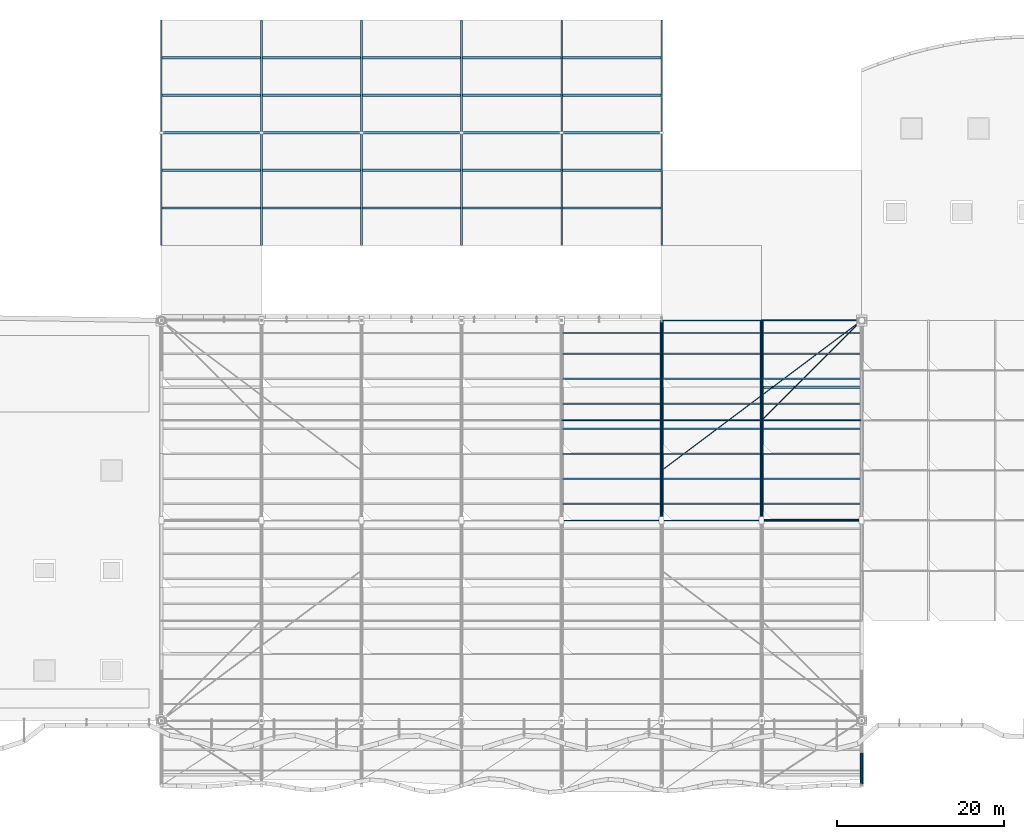
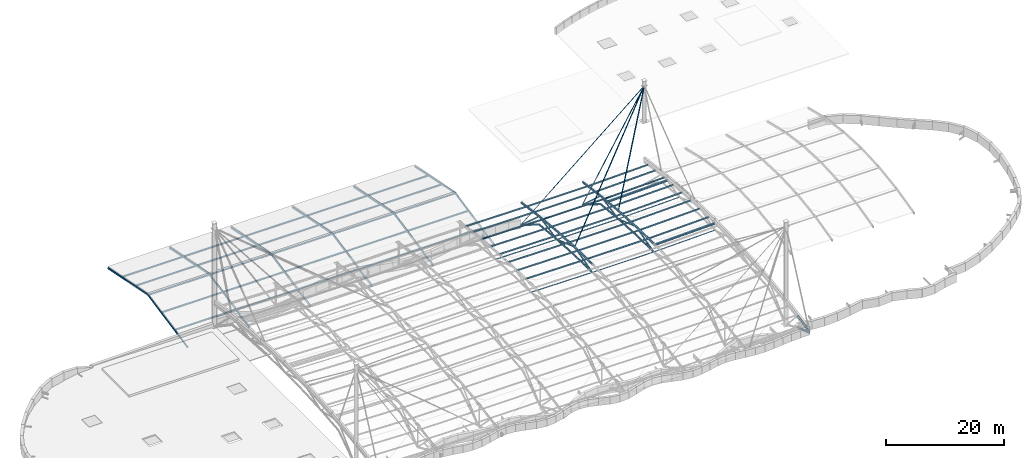
# One storey, part 15 of 29: 98 members, 2 beams.
"""IFC4 building model written with IfcOpenShell, lengths in metres."""

from ifc_helpers import new_model, si_unit, direction, frame, origin, origin_2d, place, context, subcontext, project, spatial, hollow_rectangle, hollow_circle, i_section, extrude, material, material_profile, profile_set, type_object, element, save


model = new_model("IFC4")

# Units and contexts
model_context = context("Model", 3, precision=1e-05, world=origin(), true_north=direction((0.0, 1.0)))
body_context = subcontext(model_context, "Body", "Model", "MODEL_VIEW")
ifc_project = project(units=[si_unit("LENGTHUNIT", "METRE"), si_unit("AREAUNIT", "SQUARE_METRE"), si_unit("VOLUMEUNIT", "CUBIC_METRE"), si_unit("PLANEANGLEUNIT", "RADIAN"), si_unit("MASSUNIT", "GRAM", prefix="KILO")], contexts=[model_context])

# Site, building, storey
site_placement = place(None, origin())
site = spatial("IfcSite", under=ifc_project, at=site_placement, CompositionType="ELEMENT")
building_placement = place(site_placement, origin())
building = spatial("IfcBuilding", under=site, at=building_placement, Name="Keelwater Ferry Terminal", CompositionType="ELEMENT")
storey_placement = place(building_placement, frame((0.0, 0.0, 27.89990234375)))
storey = spatial("IfcBuildingStorey", under=building, at=storey_placement, Name="RF", CompositionType="ELEMENT", Elevation=27.89990234375)

# Members
ifc_material_1 = material(Name="Steel S355", Category="steel")
ifc_material_profile_1 = material_profile(ifc_material_1, hollow_circle(Radius=0.136474609375, WallThickness=0.012451171875, at=origin_2d()), Name="CHS 273x12.5")
ifc_profile_set_1 = profile_set([ifc_material_profile_1], Name="Steel S355")
member_type_1 = type_object("IfcMemberType", Name="BR2 CHS 273x12.5", PredefinedType="BRACE", material=ifc_profile_set_1)
member_1_placement = place(storey_placement, frame((108.0, 66.0, -8.2978515625), z_axis=(0.0, 0.966835622723, 0.255399449166), x_axis=(-1.0, 0.0, 0.0)))
element("IfcMember", 1, at=member_1_placement, inside=storey, type_object=member_type_1, Name="Structural Member MB-RF-0182", PredefinedType="BRACE", context=body_context, shape_type="SweptSolid", body=[
    extrude(hollow_circle(Radius=0.136474609375, WallThickness=0.012451171875, at=origin_2d()), origin(), (0.0, 0.0, 1.0), 6.205810546875),
])
member_2_placement = place(storey_placement, frame((108.0, 72.0, -6.712890625), z_axis=(0.0, 0.946429966212, -0.322909149849), x_axis=(-1.0, 0.0, 0.0)))
element("IfcMember", 2, at=member_2_placement, inside=storey, type_object=member_type_1, Name="Structural Member MB-RF-0185", PredefinedType="BRACE", context=body_context, shape_type="SweptSolid", body=[
    extrude(hollow_circle(Radius=0.136474609375, WallThickness=0.012451171875, at=origin_2d()), origin(), (0.0, 0.0, 1.0), 6.339599609375),
])
member_3_placement = place(storey_placement, frame((108.0, 78.0, -8.760009765625), z_axis=(0.0, 0.982959013804, 0.183824854632), x_axis=(-1.0, 0.0, 0.0)))
element("IfcMember", 3, at=member_3_placement, inside=storey, type_object=member_type_1, Name="Structural Member MB-RF-0188", PredefinedType="BRACE", context=body_context, shape_type="SweptSolid", body=[
    extrude(hollow_circle(Radius=0.136474609375, WallThickness=0.012451171875, at=origin_2d()), origin(), (0.0, 0.0, 1.0), 6.10400390625),
])
member_4_placement = place(storey_placement, frame((108.0, 84.0, -7.637939453125), z_axis=(0.0, 0.742563535774, -0.669775630595), x_axis=(-1.0, 0.0, 0.0)))
element("IfcMember", 4, at=member_4_placement, inside=storey, type_object=member_type_1, Name="Structural Member MB-RF-0191", PredefinedType="BRACE", context=body_context, shape_type="SweptSolid", body=[
    extrude(hollow_circle(Radius=0.136474609375, WallThickness=0.012451171875, at=origin_2d()), origin(), (0.0, 0.0, 1.0), 8.080078125),
])
member_5_placement = place(storey_placement, frame((120.0, 66.0, -8.283935546875), z_axis=(0.0, 0.966835622723, 0.255399449166), x_axis=(-1.0, 0.0, 0.0)))
element("IfcMember", 5, at=member_5_placement, inside=storey, type_object=member_type_1, Name="Structural Member MB-RF-0213", PredefinedType="BRACE", context=body_context, shape_type="SweptSolid", body=[
    extrude(hollow_circle(Radius=0.136474609375, WallThickness=0.012451171875, at=origin_2d()), origin(), (0.0, 0.0, 1.0), 6.205810546875),
])
member_6_placement = place(storey_placement, frame((120.0, 72.0, -6.698974609375), z_axis=(0.0, 0.946441734907, -0.322874654356), x_axis=(-1.0, 0.0, 0.0)))
element("IfcMember", 6, at=member_6_placement, inside=storey, type_object=member_type_1, Name="Structural Member MB-RF-0216", PredefinedType="BRACE", context=body_context, shape_type="SweptSolid", body=[
    extrude(hollow_circle(Radius=0.136474609375, WallThickness=0.012451171875, at=origin_2d()), origin(), (0.0, 0.0, 1.0), 6.339599609375),
])
member_7_placement = place(storey_placement, frame((120.0, 78.0, -8.745849609375), z_axis=(0.0, 0.982966240194, 0.183786209053), x_axis=(-1.0, 0.0, 0.0)))
element("IfcMember", 7, at=member_7_placement, inside=storey, type_object=member_type_1, Name="Structural Member MB-RF-0219", PredefinedType="BRACE", context=body_context, shape_type="SweptSolid", body=[
    extrude(hollow_circle(Radius=0.136474609375, WallThickness=0.012451171875, at=origin_2d()), origin(), (0.0, 0.0, 1.0), 6.10400390625),
])
member_8_placement = place(storey_placement, frame((120.0, 84.0, -7.6240234375), z_axis=(0.0, 0.741707352726, -0.670723641235), x_axis=(-1.0, 0.0, 0.0)))
element("IfcMember", 8, at=member_8_placement, inside=storey, type_object=member_type_1, Name="Structural Member MB-RF-0222", PredefinedType="BRACE", context=body_context, shape_type="SweptSolid", body=[
    extrude(hollow_circle(Radius=0.136474609375, WallThickness=0.012451171875, at=origin_2d()), origin(), (0.0, 0.0, 1.0), 8.08935546875),
])
ifc_material_2 = material(Name="Steel S355", Category="steel")
ifc_material_profile_2 = material_profile(ifc_material_2, hollow_circle(Radius=0.136474609375, WallThickness=0.012451171875, at=origin_2d()), Name="CHS 273x12.5")
ifc_profile_set_2 = profile_set([ifc_material_profile_2], Name="Steel S355")
member_type_2 = type_object("IfcMemberType", Name="BR2E CHS 273x12.5", PredefinedType="BRACE", material=ifc_profile_set_2)
member_9_placement = place(storey_placement, frame((132.0, 34.199951171875, -9.89794921875), z_axis=(0.0, 0.959309065387, 0.282358136178), x_axis=(-1.0, 0.0, 0.0)))
element("IfcMember", 9, at=member_9_placement, inside=storey, type_object=member_type_2, Name="Structural Member MB-RF-0226", PredefinedType="BRACE", context=body_context, shape_type="SweptSolid", body=[
    extrude(hollow_circle(Radius=0.136474609375, WallThickness=0.012451171875, at=origin_2d()), origin(), (0.0, 0.0, 1.0), 4.065673828125),
])

# Beams
ifc_material_3 = material(Name="Steel S355", Category="steel")
ifc_material_profile_3 = material_profile(ifc_material_3, i_section(OverallWidth=0.300048828125, OverallDepth=0.360107421875, WebThickness=0.012451171875, FlangeThickness=0.0224609375, at=origin_2d()), Name="HEB 360")
ifc_profile_set_3 = profile_set([ifc_material_profile_3], Name="Steel S355")
beam_type = type_object("IfcBeamType", Name="G8 HEB 360", PredefinedType="BEAM", material=ifc_profile_set_3)
for number, where, z_axis, x_axis, name in (
    (10, (120.0, 66.0, -6.864013671875), (0.999612348095, 0.0, 0.027841579275), (0.0, 1.0, 0.0), "Beam BM-RF-1662"),
    (11, (120.0, 82.0, -7.685791015625), (0.999612913888, 0.0, 0.027821257857), (0.0, 1.0, 0.0), "Beam BM-RF-1664"),
):
    element("IfcBeam", number, at=place(storey_placement, frame(where, z_axis=z_axis, x_axis=x_axis)), inside=storey, type_object=beam_type, Name=name, PredefinedType="BEAM", context=body_context, shape_type="SweptSolid", body=[
        extrude(i_section(OverallWidth=0.300048828125, OverallDepth=0.360107421875, WebThickness=0.012451171875, FlangeThickness=0.0224609375, at=origin_2d()), origin(), (0.0, 0.0, 1.0), 12.004638671875),
    ])

# Members
ifc_material_4 = material(Name="Steel S355", Category="steel")
ifc_material_profile_4 = material_profile(ifc_material_4, i_section(OverallWidth=0.14990234375, OverallDepth=0.300048828125, WebThickness=0.007080078125, FlangeThickness=0.0107421875, at=origin_2d()), Name="IPE 300")
ifc_profile_set_4 = profile_set([ifc_material_profile_4], Name="Steel S355")
member_type_3 = type_object("IfcMemberType", Name="PR1 IPE 300", PredefinedType="PURLIN", material=ifc_profile_set_4)
for number, where, z_axis, x_axis, name in (
    (12, (96.0, 68.0, -6.697998046875), (0.999976774659, 0.0, -0.006815434153), (0.0, 1.0, 0.0), "Structural Member MB-RF-0340"),
    (13, (96.0, 71.0, -6.765869140625), (0.999976635798, 0.0, -0.006835777784), (0.0, 1.0, 0.0), "Structural Member MB-RF-0341"),
    (14, (96.0, 74.0, -6.890869140625), (0.999976635798, 0.0, -0.006835777784), (0.0, 1.0, 0.0), "Structural Member MB-RF-0342"),
    (15, (96.0, 77.0, -7.073974609375), (0.999976635798, 0.0, -0.006835777784), (0.0, 1.0, 0.0), "Structural Member MB-RF-0343"),
    (16, (96.0, 80.0, -7.31494140625), (0.999976635798, 0.0, -0.006835777784), (0.0, 1.0, 0.0), "Structural Member MB-RF-0344"),
    (17, (96.0, 83.0, -7.61279296875), (0.999976076216, 0.0, -0.00691715222), (0.0, 1.0, 0.0), "Structural Member MB-RF-0345"),
    (18, (96.0, 86.0, -7.969970703125), (0.999976635798, 0.0, -0.006835777784), (0.0, 1.0, 0.0), "Structural Member MB-RF-0346"),
    (19, (96.0, 88.5, -8.310791015625), (0.999976076216, 0.0, -0.00691715222), (0.0, 1.0, 0.0), "Structural Member MB-RF-0347"),
):
    element("IfcMember", number, at=place(storey_placement, frame(where, z_axis=z_axis, x_axis=x_axis)), inside=storey, type_object=member_type_3, Name=name, PredefinedType="PURLIN", context=body_context, shape_type="SweptSolid", body=[
        extrude(i_section(OverallWidth=0.14990234375, OverallDepth=0.300048828125, WebThickness=0.007080078125, FlangeThickness=0.0107421875, at=origin_2d()), origin(), (0.0, 0.0, 1.0), 12.000244140625),
    ])
for number, where, z_axis, x_axis, name in (
    (20, (108.0, 68.0, -6.77978515625), (0.999999327586, 0.0, 0.001159667189), (0.0, 1.0, 0.0), "Structural Member MB-RF-0359"),
    (21, (108.0, 71.0, -6.847900390625), (0.999999327586, 0.0, 0.001159667189), (0.0, 1.0, 0.0), "Structural Member MB-RF-0360"),
    (22, (108.0, 74.0, -6.972900390625), (0.999999327586, 0.0, 0.001159667189), (0.0, 1.0, 0.0), "Structural Member MB-RF-0361"),
    (23, (108.0, 77.0, -7.156005859375), (0.999999303785, 0.0, 0.001180012199), (0.0, 1.0, 0.0), "Structural Member MB-RF-0362"),
    (24, (108.0, 80.0, -7.39697265625), (0.999999303785, 0.0, 0.001180012199), (0.0, 1.0, 0.0), "Structural Member MB-RF-0363"),
    (25, (108.0, 83.0, -7.69580078125), (0.999999327586, 0.0, 0.001159667189), (0.0, 1.0, 0.0), "Structural Member MB-RF-0364"),
    (26, (108.0, 86.0, -8.052001953125), (0.999999303785, 0.0, 0.001180012199), (0.0, 1.0, 0.0), "Structural Member MB-RF-0365"),
    (27, (108.0, 88.5, -8.393798828125), (0.999999327586, 0.0, 0.001159667189), (0.0, 1.0, 0.0), "Structural Member MB-RF-0366"),
):
    element("IfcMember", number, at=place(storey_placement, frame(where, z_axis=z_axis, x_axis=x_axis)), inside=storey, type_object=member_type_3, Name=name, PredefinedType="PURLIN", context=body_context, shape_type="SweptSolid", body=[
        extrude(i_section(OverallWidth=0.14990234375, OverallDepth=0.300048828125, WebThickness=0.007080078125, FlangeThickness=0.0107421875, at=origin_2d()), origin(), (0.0, 0.0, 1.0), 12.0),
    ])
for number, where, z_axis, x_axis, name in (
    (28, (120.0, 68.0, -6.765869140625), (0.999615172935, 0.0, 0.02773997184), (0.0, 1.0, 0.0), "Structural Member MB-RF-0377"),
    (29, (120.0, 71.0, -6.833984375), (0.999612913888, 0.0, 0.027821257857), (0.0, 1.0, 0.0), "Structural Member MB-RF-0378"),
    (30, (120.0, 74.0, -6.958984375), (0.999615172935, 0.0, 0.02773997184), (0.0, 1.0, 0.0), "Structural Member MB-RF-0379"),
    (31, (120.0, 77.0, -7.141845703125), (0.999615172935, 0.0, 0.02773997184), (0.0, 1.0, 0.0), "Structural Member MB-RF-0380"),
    (32, (120.0, 80.0, -7.3828125), (0.999615172935, 0.0, 0.02773997184), (0.0, 1.0, 0.0), "Structural Member MB-RF-0381"),
    (33, (120.0, 83.0, -7.681884765625), (0.999612913888, 0.0, 0.027821257857), (0.0, 1.0, 0.0), "Structural Member MB-RF-0382"),
    (34, (120.0, 86.0, -8.037841796875), (0.999615172935, 0.0, 0.02773997184), (0.0, 1.0, 0.0), "Structural Member MB-RF-0383"),
    (35, (120.0, 88.5, -8.3798828125), (0.999612913888, 0.0, 0.027821257857), (0.0, 1.0, 0.0), "Structural Member MB-RF-0384"),
):
    element("IfcMember", number, at=place(storey_placement, frame(where, z_axis=z_axis, x_axis=x_axis)), inside=storey, type_object=member_type_3, Name=name, PredefinedType="PURLIN", context=body_context, shape_type="SweptSolid", body=[
        extrude(i_section(OverallWidth=0.14990234375, OverallDepth=0.300048828125, WebThickness=0.007080078125, FlangeThickness=0.0107421875, at=origin_2d()), origin(), (0.0, 0.0, 1.0), 12.004638671875),
    ])
ifc_material_5 = material(Name="Steel S355", Category="steel")
ifc_material_profile_5 = material_profile(ifc_material_5, i_section(OverallWidth=0.260009765625, OverallDepth=0.25, WebThickness=0.007568359375, FlangeThickness=0.012451171875, FilletRadius=0.02392578125, at=origin_2d()), Name="HEA 260")
ifc_profile_set_5 = profile_set([ifc_material_profile_5], Name="Steel S355")
member_type_4 = type_object("IfcMemberType", Name="PR4E HEA 260", PredefinedType="PURLIN", material=ifc_profile_set_5)
for number, where, z_axis, x_axis, name in (
    (36, (48.0, 103.5, -21.93701171875), (1.0, 0.0, 0.0), (0.0, 1.0, 0.0), "Structural Member MB-RF-0508"),
    (37, (48.0, 108.0, -21.052978515625), (1.0, 0.0, 0.0), (0.0, 1.0, 0.0), "Structural Member MB-RF-0509"),
    (38, (48.0, 112.5, -20.169921875), (1.0, 0.0, 0.0), (0.0, 1.0, 0.0), "Structural Member MB-RF-0510"),
    (39, (48.0, 117.0, -21.052978515625), (1.0, 0.0, 0.0), (0.0, 1.0, 0.0), "Structural Member MB-RF-0511"),
    (40, (48.0, 121.5, -21.93701171875), (1.0, 0.0, 0.0), (0.0, 1.0, 0.0), "Structural Member MB-RF-0512"),
    (41, (60.0, 103.5, -21.93701171875), (1.0, 0.0, 0.0), (0.0, 1.0, 0.0), "Structural Member MB-RF-0513"),
    (42, (60.0, 108.0, -21.052978515625), (1.0, 0.0, 0.0), (0.0, 1.0, 0.0), "Structural Member MB-RF-0514"),
    (43, (60.0, 112.5, -20.169921875), (1.0, 0.0, 0.0), (0.0, 1.0, 0.0), "Structural Member MB-RF-0515"),
    (44, (60.0, 117.0, -21.052978515625), (1.0, 0.0, 0.0), (0.0, 1.0, 0.0), "Structural Member MB-RF-0516"),
    (45, (60.0, 121.5, -21.93701171875), (1.0, 0.0, 0.0), (0.0, 1.0, 0.0), "Structural Member MB-RF-0517"),
    (46, (72.0, 103.5, -21.93701171875), (1.0, 0.0, 0.0), (0.0, 1.0, 0.0), "Structural Member MB-RF-0518"),
    (47, (72.0, 108.0, -21.052978515625), (1.0, 0.0, 0.0), (0.0, 1.0, 0.0), "Structural Member MB-RF-0519"),
    (48, (72.0, 112.5, -20.169921875), (1.0, 0.0, 0.0), (0.0, 1.0, 0.0), "Structural Member MB-RF-0520"),
    (49, (72.0, 117.0, -21.052978515625), (1.0, 0.0, 0.0), (0.0, 1.0, 0.0), "Structural Member MB-RF-0521"),
    (50, (72.0, 121.5, -21.93701171875), (1.0, 0.0, 0.0), (0.0, 1.0, 0.0), "Structural Member MB-RF-0522"),
    (51, (84.0, 103.5, -21.93701171875), (1.0, 0.0, 0.0), (0.0, 1.0, 0.0), "Structural Member MB-RF-0523"),
    (52, (84.0, 108.0, -21.052978515625), (1.0, 0.0, 0.0), (0.0, 1.0, 0.0), "Structural Member MB-RF-0524"),
    (53, (84.0, 112.5, -20.169921875), (1.0, 0.0, 0.0), (0.0, 1.0, 0.0), "Structural Member MB-RF-0525"),
    (54, (84.0, 117.0, -21.052978515625), (1.0, 0.0, 0.0), (0.0, 1.0, 0.0), "Structural Member MB-RF-0526"),
    (55, (84.0, 121.5, -21.93701171875), (1.0, 0.0, 0.0), (0.0, 1.0, 0.0), "Structural Member MB-RF-0527"),
    (56, (96.0, 103.5, -21.93701171875), (1.0, 0.0, 0.0), (0.0, 1.0, 0.0), "Structural Member MB-RF-0528"),
    (57, (96.0, 108.0, -21.052978515625), (1.0, 0.0, 0.0), (0.0, 1.0, 0.0), "Structural Member MB-RF-0529"),
    (58, (96.0, 112.5, -20.169921875), (1.0, 0.0, 0.0), (0.0, 1.0, 0.0), "Structural Member MB-RF-0530"),
    (59, (96.0, 117.0, -21.052978515625), (1.0, 0.0, 0.0), (0.0, 1.0, 0.0), "Structural Member MB-RF-0531"),
    (60, (96.0, 121.5, -21.93701171875), (1.0, 0.0, 0.0), (0.0, 1.0, 0.0), "Structural Member MB-RF-0532"),
):
    element("IfcMember", number, at=place(storey_placement, frame(where, z_axis=z_axis, x_axis=x_axis)), inside=storey, type_object=member_type_4, Name=name, PredefinedType="PURLIN", context=body_context, shape_type="SweptSolid", body=[
        extrude(i_section(OverallWidth=0.260009765625, OverallDepth=0.25, WebThickness=0.007568359375, FlangeThickness=0.012451171875, FilletRadius=0.02392578125, at=origin_2d()), origin(), (0.0, 0.0, 1.0), 12.0),
    ])
ifc_material_6 = material(Name="Steel S460", Category="steel")
ifc_material_profile_6 = material_profile(ifc_material_6, hollow_circle(Radius=0.084228515625, WallThickness=0.012451171875, at=origin_2d()), Name="CHS 168.3x12.5")
ifc_profile_set_6 = profile_set([ifc_material_profile_6], Name="Steel S460")
member_type_5 = type_object("IfcMemberType", Name="SC1E CHS 168.3x12.5", PredefinedType="USERDEFINED", material=ifc_profile_set_6)
member_10_placement = place(storey_placement, frame((132.0, 90.0, 7.300048828125), z_axis=(-0.510736326415, 0.0, -0.859737404607), x_axis=(0.0, -1.0, 0.0)))
element("IfcMember", 61, at=member_10_placement, inside=storey, type_object=member_type_5, Name="Structural Member MB-RF-0409", ObjectType="CABLE", PredefinedType="USERDEFINED", context=body_context, shape_type="SweptSolid", body=[
    extrude(hollow_circle(Radius=0.084228515625, WallThickness=0.012451171875, at=origin_2d()), origin(), (0.0, 0.0, 1.0), 23.49560546875),
])
ifc_material_7 = material(Name="Steel S460", Category="steel")
ifc_material_profile_7 = material_profile(ifc_material_7, hollow_circle(Radius=0.06982421875, WallThickness=0.010009765625, at=origin_2d()), Name="CHS 139.7x10")
ifc_profile_set_7 = profile_set([ifc_material_profile_7], Name="Steel S460")
member_type_6 = type_object("IfcMemberType", Name="SC2E CHS 139.7x10", PredefinedType="USERDEFINED", material=ifc_profile_set_7)
member_11_placement = place(storey_placement, frame((132.0, 90.0, 7.300048828125), z_axis=(-0.765077272354, 0.0, -0.643938481011), x_axis=(0.0, -1.0, 0.0)))
element("IfcMember", 62, at=member_11_placement, inside=storey, type_object=member_type_6, Name="Structural Member MB-RF-0410", ObjectType="CABLE", PredefinedType="USERDEFINED", context=body_context, shape_type="SweptSolid", body=[
    extrude(hollow_circle(Radius=0.06982421875, WallThickness=0.010009765625, at=origin_2d()), origin(), (0.0, 0.0, 1.0), 31.369384765625),
])
member_12_placement = place(storey_placement, frame((132.0, 90.0, 7.300048828125), z_axis=(-0.540011458903, -0.540011458903, -0.645581326021), x_axis=(0.707106781187, -0.707106781187, 0.0)))
element("IfcMember", 63, at=member_12_placement, inside=storey, type_object=member_type_6, Name="Structural Member MB-RF-0411", ObjectType="CABLE", PredefinedType="USERDEFINED", context=body_context, shape_type="SweptSolid", body=[
    extrude(hollow_circle(Radius=0.06982421875, WallThickness=0.010009765625, at=origin_2d()), origin(), (0.0, 0.0, 1.0), 22.2216796875),
])
ifc_material_8 = material(Name="Steel S460", Category="steel")
ifc_material_profile_8 = material_profile(ifc_material_8, hollow_circle(Radius=0.05712890625, WallThickness=0.010009765625, at=origin_2d()), Name="CHS 114.3x10")
ifc_profile_set_8 = profile_set([ifc_material_profile_8], Name="Steel S460")
member_type_7 = type_object("IfcMemberType", Name="SC3 CHS 114.3x10", PredefinedType="USERDEFINED", material=ifc_profile_set_8)
for number, where, z_axis, x_axis, name in (
    (64, (96.0, 66.0, -8.21484375), (0.999976076216, 0.0, -0.00691715222), (0.0, 1.0, 0.0), "Structural Member MB-RF-0426"),
    (65, (96.0, 78.0, -8.677978515625), (0.999976635798, 0.0, -0.006835777784), (0.0, 1.0, 0.0), "Structural Member MB-RF-0427"),
):
    element("IfcMember", number, at=place(storey_placement, frame(where, z_axis=z_axis, x_axis=x_axis)), inside=storey, type_object=member_type_7, Name=name, ObjectType="CABLE", PredefinedType="USERDEFINED", context=body_context, shape_type="SweptSolid", body=[
        extrude(hollow_circle(Radius=0.05712890625, WallThickness=0.010009765625, at=origin_2d()), origin(), (0.0, 0.0, 1.0), 12.000244140625),
    ])
for number, where, z_axis, x_axis, name in (
    (66, (108.0, 66.0, -8.2978515625), (0.999999327586, 0.0, 0.001159667189), (0.0, 1.0, 0.0), "Structural Member MB-RF-0429"),
    (67, (108.0, 78.0, -8.760009765625), (0.999999303785, 0.0, 0.001180012199), (0.0, 1.0, 0.0), "Structural Member MB-RF-0430"),
):
    element("IfcMember", number, at=place(storey_placement, frame(where, z_axis=z_axis, x_axis=x_axis)), inside=storey, type_object=member_type_7, Name=name, ObjectType="CABLE", PredefinedType="USERDEFINED", context=body_context, shape_type="SweptSolid", body=[
        extrude(hollow_circle(Radius=0.05712890625, WallThickness=0.010009765625, at=origin_2d()), origin(), (0.0, 0.0, 1.0), 12.0),
    ])
for number, where, z_axis, x_axis, name in (
    (68, (120.0, 66.0, -8.283935546875), (0.999612913888, 0.0, 0.027821257857), (0.0, 1.0, 0.0), "Structural Member MB-RF-0432"),
    (69, (120.0, 78.0, -8.745849609375), (0.999612913888, 0.0, 0.027821257857), (0.0, 1.0, 0.0), "Structural Member MB-RF-0433"),
):
    element("IfcMember", number, at=place(storey_placement, frame(where, z_axis=z_axis, x_axis=x_axis)), inside=storey, type_object=member_type_7, Name=name, ObjectType="CABLE", PredefinedType="USERDEFINED", context=body_context, shape_type="SweptSolid", body=[
        extrude(hollow_circle(Radius=0.05712890625, WallThickness=0.010009765625, at=origin_2d()), origin(), (0.0, 0.0, 1.0), 12.004638671875),
    ])
ifc_material_9 = material(Name="Steel S460", Category="steel")
ifc_material_profile_9 = material_profile(ifc_material_9, hollow_circle(Radius=0.05712890625, WallThickness=0.010009765625, at=origin_2d()), Name="CHS 114.3x10")
ifc_profile_set_9 = profile_set([ifc_material_profile_9], Name="Steel S460")
member_type_8 = type_object("IfcMemberType", Name="SC3E CHS 114.3x10", PredefinedType="USERDEFINED", material=ifc_profile_set_9)
member_13_placement = place(storey_placement, frame((132.0, 90.0, 7.300048828125), z_axis=(-0.724826663576, -0.543619997682, -0.423206339613), x_axis=(0.6, -0.8, 0.0)))
element("IfcMember", 70, at=member_13_placement, inside=storey, type_object=member_type_8, Name="Structural Member MB-RF-0412", ObjectType="CABLE", PredefinedType="USERDEFINED", context=body_context, shape_type="SweptSolid", body=[
    extrude(hollow_circle(Radius=0.05712890625, WallThickness=0.010009765625, at=origin_2d()), origin(), (0.0, 0.0, 1.0), 33.111328125),
])
ifc_material_10 = material(Name="Steel S355", Category="steel")
ifc_material_profile_10 = material_profile(ifc_material_10, hollow_circle(Radius=0.203125, WallThickness=0.01611328125, at=origin_2d()), Name="CHS 406.4x16")
ifc_profile_set_10 = profile_set([ifc_material_profile_10], Name="Steel S355")
member_type_9 = type_object("IfcMemberType", Name="TC1 CHS 406.4x16", PredefinedType="CHORD", material=ifc_profile_set_10)
member_14_placement = place(storey_placement, frame((108.0, 66.0, -6.597900390625), z_axis=(0.0, 0.999816401214, -0.019161520385), x_axis=(-1.0, 0.0, 0.0)))
element("IfcMember", 71, at=member_14_placement, inside=storey, type_object=member_type_9, Name="Structural Member MB-RF-0180", PredefinedType="CHORD", context=body_context, shape_type="SweptSolid", body=[
    extrude(hollow_circle(Radius=0.203125, WallThickness=0.01611328125, at=origin_2d()), origin(), (0.0, 0.0, 1.0), 6.001220703125),
])
member_15_placement = place(storey_placement, frame((108.0, 72.0, -6.712890625), z_axis=(0.0, 0.998332566702, -0.057724225964), x_axis=(-1.0, 0.0, 0.0)))
element("IfcMember", 72, at=member_15_placement, inside=storey, type_object=member_type_9, Name="Structural Member MB-RF-0183", PredefinedType="CHORD", context=body_context, shape_type="SweptSolid", body=[
    extrude(hollow_circle(Radius=0.203125, WallThickness=0.01611328125, at=origin_2d()), origin(), (0.0, 0.0, 1.0), 6.010009765625),
])
member_16_placement = place(storey_placement, frame((108.0, 78.0, -7.059814453125), z_axis=(0.0, 0.995390012341, -0.095909975147), x_axis=(-1.0, 0.0, 0.0)))
element("IfcMember", 73, at=member_16_placement, inside=storey, type_object=member_type_9, Name="Structural Member MB-RF-0186", PredefinedType="CHORD", context=body_context, shape_type="SweptSolid", body=[
    extrude(hollow_circle(Radius=0.203125, WallThickness=0.01611328125, at=origin_2d()), origin(), (0.0, 0.0, 1.0), 6.02783203125),
])
member_17_placement = place(storey_placement, frame((108.0, 84.0, -7.637939453125), z_axis=(0.0, 0.991008911296, -0.133795880846), x_axis=(-1.0, 0.0, 0.0)))
element("IfcMember", 74, at=member_17_placement, inside=storey, type_object=member_type_9, Name="Structural Member MB-RF-0189", PredefinedType="CHORD", context=body_context, shape_type="SweptSolid", body=[
    extrude(hollow_circle(Radius=0.203125, WallThickness=0.01611328125, at=origin_2d()), origin(), (0.0, 0.0, 1.0), 6.054443359375),
])
member_18_placement = place(storey_placement, frame((120.0, 66.0, -6.583984375), z_axis=(0.0, 0.999816401214, -0.019161520385), x_axis=(-1.0, 0.0, 0.0)))
element("IfcMember", 75, at=member_18_placement, inside=storey, type_object=member_type_9, Name="Structural Member MB-RF-0211", PredefinedType="CHORD", context=body_context, shape_type="SweptSolid", body=[
    extrude(hollow_circle(Radius=0.203125, WallThickness=0.01611328125, at=origin_2d()), origin(), (0.0, 0.0, 1.0), 6.001220703125),
])
member_19_placement = place(storey_placement, frame((120.0, 72.0, -6.698974609375), z_axis=(0.0, 0.998332566702, -0.057724225964), x_axis=(-1.0, 0.0, 0.0)))
element("IfcMember", 76, at=member_19_placement, inside=storey, type_object=member_type_9, Name="Structural Member MB-RF-0214", PredefinedType="CHORD", context=body_context, shape_type="SweptSolid", body=[
    extrude(hollow_circle(Radius=0.203125, WallThickness=0.01611328125, at=origin_2d()), origin(), (0.0, 0.0, 1.0), 6.010009765625),
])
member_20_placement = place(storey_placement, frame((120.0, 78.0, -7.0458984375), z_axis=(0.0, 0.995390012341, -0.095909975147), x_axis=(-1.0, 0.0, 0.0)))
element("IfcMember", 77, at=member_20_placement, inside=storey, type_object=member_type_9, Name="Structural Member MB-RF-0217", PredefinedType="CHORD", context=body_context, shape_type="SweptSolid", body=[
    extrude(hollow_circle(Radius=0.203125, WallThickness=0.01611328125, at=origin_2d()), origin(), (0.0, 0.0, 1.0), 6.02783203125),
])
member_21_placement = place(storey_placement, frame((120.0, 84.0, -7.6240234375), z_axis=(0.0, 0.991014257244, -0.133756278128), x_axis=(-1.0, 0.0, 0.0)))
element("IfcMember", 78, at=member_21_placement, inside=storey, type_object=member_type_9, Name="Structural Member MB-RF-0220", PredefinedType="CHORD", context=body_context, shape_type="SweptSolid", body=[
    extrude(hollow_circle(Radius=0.203125, WallThickness=0.01611328125, at=origin_2d()), origin(), (0.0, 0.0, 1.0), 6.054443359375),
])
ifc_material_11 = material(Name="Steel S355", Category="steel")
ifc_material_profile_11 = material_profile(ifc_material_11, hollow_circle(Radius=0.203125, WallThickness=0.01611328125, at=origin_2d()), Name="CHS 406.4x16")
ifc_profile_set_11 = profile_set([ifc_material_profile_11], Name="Steel S355")
member_type_10 = type_object("IfcMemberType", Name="TC1E CHS 406.4x16", PredefinedType="CHORD", material=ifc_profile_set_11)
member_22_placement = place(storey_placement, frame((132.0, 34.199951171875, -9.497802734375), z_axis=(0.0, 0.982110223203, 0.188306955472), x_axis=(-1.0, 0.0, 0.0)))
element("IfcMember", 79, at=member_22_placement, inside=storey, type_object=member_type_10, Name="Structural Member MB-RF-0224", PredefinedType="CHORD", context=body_context, shape_type="SweptSolid", body=[
    extrude(hollow_circle(Radius=0.203125, WallThickness=0.01611328125, at=origin_2d()), origin(), (0.0, 0.0, 1.0), 3.97119140625),
])
ifc_material_12 = material(Name="Steel S355", Category="steel")
ifc_material_profile_12 = material_profile(ifc_material_12, hollow_circle(Radius=0.177734375, WallThickness=0.01611328125, at=origin_2d()), Name="CHS 355.6x16")
ifc_profile_set_12 = profile_set([ifc_material_profile_12], Name="Steel S355")
member_type_11 = type_object("IfcMemberType", Name="TC2 CHS 355.6x16", PredefinedType="CHORD", material=ifc_profile_set_12)
member_23_placement = place(storey_placement, frame((108.0, 66.0, -8.2978515625), z_axis=(0.0, 0.999816401214, -0.019161520385), x_axis=(-1.0, 0.0, 0.0)))
element("IfcMember", 80, at=member_23_placement, inside=storey, type_object=member_type_11, Name="Structural Member MB-RF-0181", PredefinedType="CHORD", context=body_context, shape_type="SweptSolid", body=[
    extrude(hollow_circle(Radius=0.177734375, WallThickness=0.01611328125, at=origin_2d()), origin(), (0.0, 0.0, 1.0), 6.001220703125),
])
member_24_placement = place(storey_placement, frame((108.0, 72.0, -8.412841796875), z_axis=(0.0, 0.998330224908, -0.05776471272), x_axis=(-1.0, 0.0, 0.0)))
element("IfcMember", 81, at=member_24_placement, inside=storey, type_object=member_type_11, Name="Structural Member MB-RF-0184", PredefinedType="CHORD", context=body_context, shape_type="SweptSolid", body=[
    extrude(hollow_circle(Radius=0.177734375, WallThickness=0.01611328125, at=origin_2d()), origin(), (0.0, 0.0, 1.0), 6.010009765625),
])
member_25_placement = place(storey_placement, frame((108.0, 78.0, -8.760009765625), z_axis=(0.0, 0.995393878235, -0.095869844962), x_axis=(-1.0, 0.0, 0.0)))
element("IfcMember", 82, at=member_25_placement, inside=storey, type_object=member_type_11, Name="Structural Member MB-RF-0187", PredefinedType="CHORD", context=body_context, shape_type="SweptSolid", body=[
    extrude(hollow_circle(Radius=0.177734375, WallThickness=0.01611328125, at=origin_2d()), origin(), (0.0, 0.0, 1.0), 6.02783203125),
])
member_26_placement = place(storey_placement, frame((108.0, 84.0, -9.337890625), z_axis=(0.0, 0.850415552082, -0.526111574457), x_axis=(-1.0, 0.0, 0.0)))
element("IfcMember", 83, at=member_26_placement, inside=storey, type_object=member_type_11, Name="Structural Member MB-RF-0190", PredefinedType="CHORD", context=body_context, shape_type="SweptSolid", body=[
    extrude(hollow_circle(Radius=0.177734375, WallThickness=0.01611328125, at=origin_2d()), origin(), (0.0, 0.0, 1.0), 7.055419921875),
])
member_27_placement = place(storey_placement, frame((120.0, 66.0, -8.283935546875), z_axis=(0.0, 0.999816401214, -0.019161520385), x_axis=(-1.0, 0.0, 0.0)))
element("IfcMember", 84, at=member_27_placement, inside=storey, type_object=member_type_11, Name="Structural Member MB-RF-0212", PredefinedType="CHORD", context=body_context, shape_type="SweptSolid", body=[
    extrude(hollow_circle(Radius=0.177734375, WallThickness=0.01611328125, at=origin_2d()), origin(), (0.0, 0.0, 1.0), 6.001220703125),
])
member_28_placement = place(storey_placement, frame((120.0, 72.0, -8.39892578125), z_axis=(0.0, 0.998332566702, -0.057724225964), x_axis=(-1.0, 0.0, 0.0)))
element("IfcMember", 85, at=member_28_placement, inside=storey, type_object=member_type_11, Name="Structural Member MB-RF-0215", PredefinedType="CHORD", context=body_context, shape_type="SweptSolid", body=[
    extrude(hollow_circle(Radius=0.177734375, WallThickness=0.01611328125, at=origin_2d()), origin(), (0.0, 0.0, 1.0), 6.010009765625),
])
member_29_placement = place(storey_placement, frame((120.0, 78.0, -8.745849609375), z_axis=(0.0, 0.995390012341, -0.095909975147), x_axis=(-1.0, 0.0, 0.0)))
element("IfcMember", 86, at=member_29_placement, inside=storey, type_object=member_type_11, Name="Structural Member MB-RF-0218", PredefinedType="CHORD", context=body_context, shape_type="SweptSolid", body=[
    extrude(hollow_circle(Radius=0.177734375, WallThickness=0.01611328125, at=origin_2d()), origin(), (0.0, 0.0, 1.0), 6.02783203125),
])
member_30_placement = place(storey_placement, frame((120.0, 84.0, -9.323974609375), z_axis=(0.0, 0.849532796236, -0.527535807428), x_axis=(-1.0, 0.0, 0.0)))
element("IfcMember", 87, at=member_30_placement, inside=storey, type_object=member_type_11, Name="Structural Member MB-RF-0221", PredefinedType="CHORD", context=body_context, shape_type="SweptSolid", body=[
    extrude(hollow_circle(Radius=0.177734375, WallThickness=0.01611328125, at=origin_2d()), origin(), (0.0, 0.0, 1.0), 7.062744140625),
])
ifc_material_13 = material(Name="Steel S355", Category="steel")
ifc_material_profile_13 = material_profile(ifc_material_13, hollow_circle(Radius=0.177734375, WallThickness=0.01611328125, at=origin_2d()), Name="CHS 355.6x16")
ifc_profile_set_13 = profile_set([ifc_material_profile_13], Name="Steel S355")
member_type_12 = type_object("IfcMemberType", Name="TC2E CHS 355.6x16", PredefinedType="CHORD", material=ifc_profile_set_13)
member_31_placement = place(storey_placement, frame((132.0, 34.199951171875, -9.89794921875), z_axis=(0.0, 0.955650867451, -0.294501985631), x_axis=(-1.0, 0.0, 0.0)))
element("IfcMember", 88, at=member_31_placement, inside=storey, type_object=member_type_12, Name="Structural Member MB-RF-0225", PredefinedType="CHORD", context=body_context, shape_type="SweptSolid", body=[
    extrude(hollow_circle(Radius=0.177734375, WallThickness=0.01611328125, at=origin_2d()), origin(), (0.0, 0.0, 1.0), 4.0810546875),
])
ifc_material_14 = material(Name="Steel S355", Category="steel")
ifc_material_profile_14 = material_profile(ifc_material_14, hollow_rectangle(XDim=0.199951171875, YDim=0.300048828125, WallThickness=0.012451171875, at=origin_2d()), Name="RHS 300x200x12.5")
ifc_profile_set_14 = profile_set([ifc_material_profile_14], Name="Steel S355")
member_type_13 = type_object("IfcMemberType", Name="TC4E RHS 300x200x12.5", PredefinedType="CHORD", material=ifc_profile_set_14)
for number, where, z_axis, x_axis, name in (
    (89, (48.0, 99.0, -22.7998046875), (0.0, 0.979876548708, 0.199604482144), (-1.0, 0.0, 0.0), "Structural Member MB-RF-0484"),
    (90, (48.0, 112.5, -20.0498046875), (0.0, 0.979876548708, -0.199604482144), (-1.0, 0.0, 0.0), "Structural Member MB-RF-0485"),
    (91, (60.0, 99.0, -22.7998046875), (0.0, 0.979876548708, 0.199604482144), (-1.0, 0.0, 0.0), "Structural Member MB-RF-0488"),
    (92, (60.0, 112.5, -20.0498046875), (0.0, 0.979876548708, -0.199604482144), (-1.0, 0.0, 0.0), "Structural Member MB-RF-0489"),
    (93, (72.0, 99.0, -22.7998046875), (0.0, 0.979876548708, 0.199604482144), (-1.0, 0.0, 0.0), "Structural Member MB-RF-0492"),
    (94, (72.0, 112.5, -20.0498046875), (0.0, 0.979876548708, -0.199604482144), (-1.0, 0.0, 0.0), "Structural Member MB-RF-0493"),
    (95, (84.0, 99.0, -22.7998046875), (0.0, 0.979876548708, 0.199604482144), (-1.0, 0.0, 0.0), "Structural Member MB-RF-0496"),
    (96, (84.0, 112.5, -20.0498046875), (0.0, 0.979876548708, -0.199604482144), (-1.0, 0.0, 0.0), "Structural Member MB-RF-0497"),
    (97, (96.0, 99.0, -22.7998046875), (0.0, 0.979876548708, 0.199604482144), (-1.0, 0.0, 0.0), "Structural Member MB-RF-0500"),
    (98, (96.0, 112.5, -20.0498046875), (0.0, 0.979876548708, -0.199604482144), (-1.0, 0.0, 0.0), "Structural Member MB-RF-0501"),
    (99, (108.0, 99.0, -22.7998046875), (0.0, 0.979876548708, 0.199604482144), (-1.0, 0.0, 0.0), "Structural Member MB-RF-0504"),
    (100, (108.0, 112.5, -20.0498046875), (0.0, 0.979876548708, -0.199604482144), (-1.0, 0.0, 0.0), "Structural Member MB-RF-0505"),
):
    element("IfcMember", number, at=place(storey_placement, frame(where, z_axis=z_axis, x_axis=x_axis)), inside=storey, type_object=member_type_13, Name=name, PredefinedType="CHORD", context=body_context, shape_type="SweptSolid", body=[
        extrude(hollow_rectangle(XDim=0.199951171875, YDim=0.300048828125, WallThickness=0.012451171875, at=origin_2d()), origin(), (0.0, 0.0, 1.0), 13.77734375),
    ])

save(model, "model.ifc")
